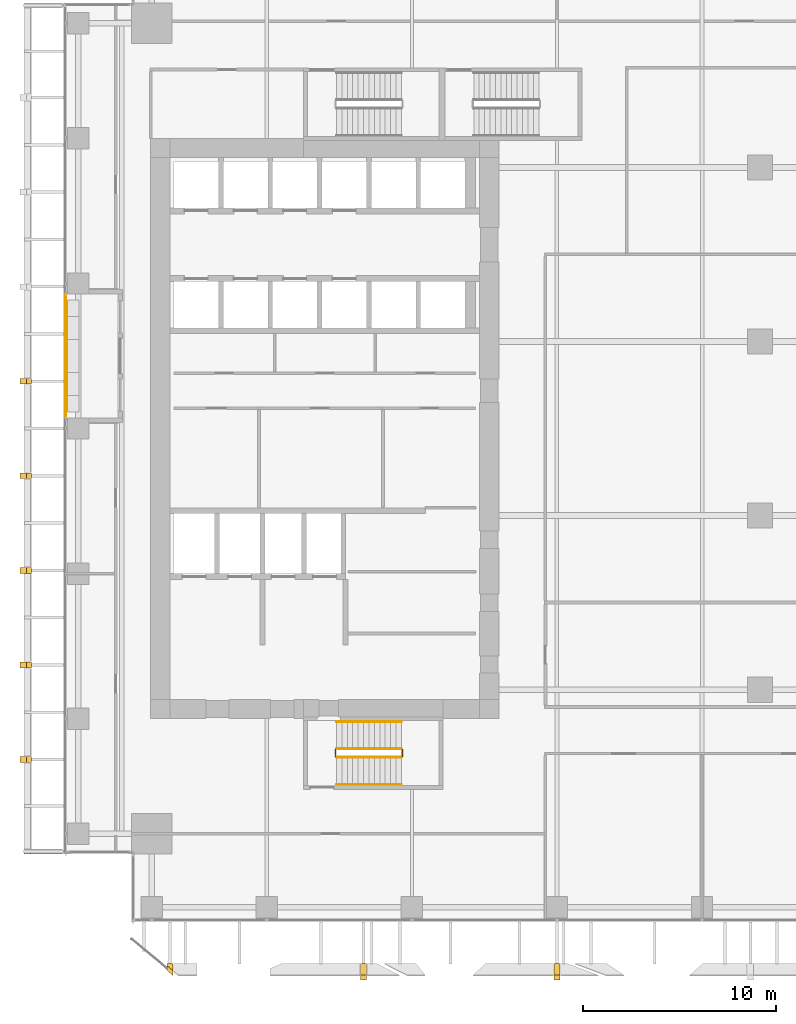
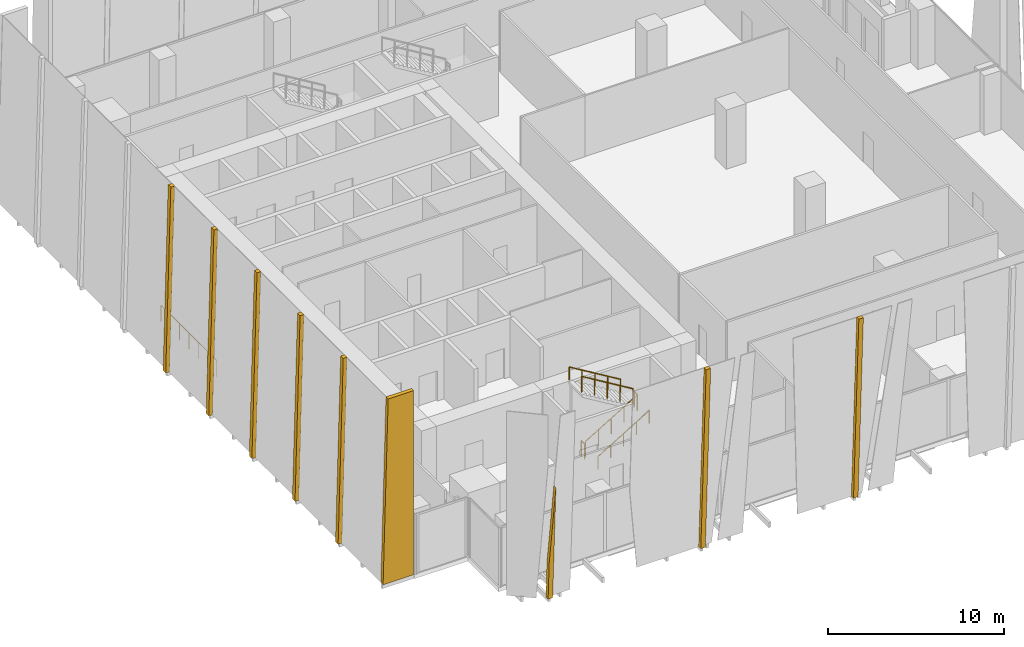
# One storey, part 31 of 35: 9 coverings, 7 railings.
"""IFC4 building model written with IfcOpenShell, lengths in metres."""

from ifc_helpers import new_model, si_unit, direction, frame, origin, origin_2d, place, context, subcontext, project, spatial, polyline, circle, outline, extrude, source, transform, mapped, material, layer, layer_set, type_object, element, save


model = new_model("IFC4")

# Units and contexts
model_context = context("Model", 3, precision=1e-05, world=origin(), true_north=direction((0.0, 1.0)))
body_context = subcontext(model_context, "Body", "Model", "MODEL_VIEW")
ifc_project = project(units=[si_unit("LENGTHUNIT", "METRE"), si_unit("AREAUNIT", "SQUARE_METRE"), si_unit("VOLUMEUNIT", "CUBIC_METRE"), si_unit("PLANEANGLEUNIT", "RADIAN"), si_unit("MASSUNIT", "GRAM", prefix="KILO")], contexts=[model_context])

# Site, building, storey
site_placement = place(None, origin())
site = spatial("IfcSite", under=ifc_project, at=site_placement, CompositionType="ELEMENT")
building_placement = place(site_placement, origin())
building = spatial("IfcBuilding", under=site, at=building_placement, Name="Khomas Fold Tower", CompositionType="ELEMENT")
storey_placement = place(building_placement, frame((0.0, 0.0, 127.89990234375)))
storey = spatial("IfcBuildingStorey", under=building, at=storey_placement, Name="L27", CompositionType="ELEMENT", Elevation=127.89990234375)

# Coverings
ifc_material_1 = material(Name="Natural stone cladding", Category="masonry")
ifc_layer = layer(ifc_material_1, 0.25)
ifc_layer_set = layer_set([ifc_layer], Name="Natural stone cladding")
covering_type = type_object("IfcCoveringType", Name="SK-Karibib marble stone mullion", PredefinedType="CLADDING", material=ifc_layer_set)
covering_1_placement = place(storey_placement, frame((6.85009765625, -0.653076171875, 0.0), z_axis=(-2.0950935e-05, 0.998875137058, 0.047417930458), x_axis=(-5.1e-11, -0.047417930469, 0.998875137277)))
element("IfcCovering", 1, at=covering_1_placement, inside=storey, type_object=covering_type, Name="OUTER SKIN mullion L27 SM099-1", PredefinedType="CLADDING", context=body_context, shape_type="SweptSolid", body=[
    extrude(outline(polyline([(0.0, 0.0), (2.563919511574395, 8.470329472543003e-22), (7.836451352901421, 0.29980468796801524), (-1.5387897220766973e-11, 0.2998046874342016), (0.0, 0.0)])), origin(), (0.0, 0.0, -1.0), 0.25),
])
for number, where, z_axis, x_axis, name in (
    (2, (16.85009765625, -0.653076171875, 0.0), (0.0, 0.998875266546, 0.047415207295), (0.0, -0.047415207295, 0.998875266546), "OUTER SKIN mullion L27 SM101-6"),
    (3, (26.85009765625, -0.653076171875, 0.0), (0.0, 0.998875266546, 0.047415207295), (0.0, -0.047415207295, 0.998875266546), "OUTER SKIN mullion L27 SM103-10"),
):
    element("IfcCovering", number, at=place(storey_placement, frame(where, z_axis=z_axis, x_axis=x_axis)), inside=storey, type_object=covering_type, Name=name, PredefinedType="CLADDING", context=body_context, shape_type="SweptSolid", body=[
        extrude(outline(polyline([(0.0, 0.0), (12.764356498773964, 0.0), (12.764356498773964, 0.2998046875), (0.0, 0.2998046875), (0.0, 0.0)])), origin(), (0.0, 0.0, -1.0), 0.25),
    ])
for number, where, z_axis, x_axis, name in (
    (4, (-0.758544921875, 9.73876953125, 0.006591796875), (-0.999657592188, 0.0, 0.026166741891), (0.0, 1.0, 0.0), "OUTER SKIN mullion L27 W2"),
    (5, (-0.758544921875, 14.627685546875, 0.006591796875), (-0.999657592188, 0.0, 0.026166741891), (0.0, 1.0, 0.0), "OUTER SKIN mullion L27 W4"),
    (6, (-0.758544921875, 19.5166015625, 0.006591796875), (-0.999657592188, 0.0, 0.026166741891), (0.0, 1.0, 0.0), "OUTER SKIN mullion L27 W6"),
    (7, (-0.758544921875, 24.405517578125, 0.006591796875), (-0.999657592188, 0.0, 0.026166741891), (0.0, 1.0, 0.0), "OUTER SKIN mullion L27 W8"),
    (8, (-0.758544921875, 29.29443359375, 0.006591796875), (-0.999657592188, 0.0, 0.026166741891), (0.0, 1.0, 0.0), "OUTER SKIN mullion L27 W10"),
):
    element("IfcCovering", number, at=place(storey_placement, frame(where, z_axis=z_axis, x_axis=x_axis)), inside=storey, type_object=covering_type, Name=name, PredefinedType="CLADDING", context=body_context, shape_type="SweptSolid", body=[
        extrude(outline(polyline([(0.0, 0.0), (0.300048828125, 0.0), (0.300048828125, -12.754367194966619), (0.0, -12.754367194966619), (0.0, 0.0)])), origin(), (0.0, 0.0, -1.0), 0.25),
    ])
covering_2_placement = place(storey_placement, frame((1.449951171875, 5.0, 12.75), z_axis=(0.0, -1.0, 0.0), x_axis=(-1.0, 0.0, 0.0)))
element("IfcCovering", 9, at=covering_2_placement, inside=storey, type_object=covering_type, Name="OUTER SKIN return L27 W1", PredefinedType="CLADDING", context=body_context, shape_type="SweptSolid", body=[
    extrude(outline(polyline([(0.0, 0.0), (1.664794921875, 0.0), (1.99853515625, 12.75), (0.0, 12.75), (0.0, 0.0)])), origin(), (0.0, 0.0, -1.0), 0.25),
])

# Railings
ifc_material_2 = material(Name="Powder-coated steel", Category="steel")
railing_type_1 = type_object("IfcRailingType", Name="Balcony guard", PredefinedType="GUARDRAIL", material=ifc_material_2)
shared_shape_1 = source(origin(), body_context, "Body", "SweptSolid", [
    extrude(circle(Radius=0.02490234375, at=origin_2d()), frame((0.0, 0.0, 1.125), z_axis=(0.0, 1.0, 0.0), x_axis=(-1.0, 0.0, 0.0)), (0.0, 0.0, 1.0), 6.33984375),
    extrude(circle(Radius=0.02001953125, at=origin_2d()), origin(), (0.0, 0.0, 1.0), 1.099853515625),
    extrude(circle(Radius=0.02001953125, at=origin_2d()), frame((0.0, 1.056640625, 0.0)), (0.0, 0.0, 1.0), 1.099853515625),
    extrude(circle(Radius=0.02001953125, at=origin_2d()), frame((0.0, 2.11328125, 0.0)), (0.0, 0.0, 1.0), 1.099853515625),
    extrude(circle(Radius=0.02001953125, at=origin_2d()), frame((0.0, 3.169921875, 0.0)), (0.0, 0.0, 1.0), 1.099853515625),
    extrude(circle(Radius=0.02001953125, at=origin_2d()), frame((0.0, 4.2265625, 0.0)), (0.0, 0.0, 1.0), 1.099853515625),
    extrude(circle(Radius=0.02001953125, at=origin_2d()), frame((0.0, 5.283203125, 0.0)), (0.0, 0.0, 1.0), 1.099853515625),
    extrude(circle(Radius=0.02001953125, at=origin_2d()), frame((0.0, 6.33984375, 0.0)), (0.0, 0.0, 1.0), 1.099853515625),
])
railing_1_placement = place(storey_placement, frame((1.60009765625, 27.580078125, -0.044921875)))
element("IfcRailing", 10, at=railing_1_placement, inside=storey, type_object=railing_type_1, Name="Balcony guard BAL-L27-W3", PredefinedType="GUARDRAIL", context=body_context, shape_type="MappedRepresentation", body=[
    mapped(shared_shape_1, transform((0.0, 0.0, 0.0))),
])
ifc_material_3 = material(Name="Steel balustrade", Category="steel")
railing_type_2 = type_object("IfcRailingType", Name="Stair guard", PredefinedType="GUARDRAIL", material=ifc_material_3)
shared_shape_2 = source(origin(), body_context, "Body", "SweptSolid", [
    extrude(circle(Radius=0.02392578125, at=origin_2d()), frame((0.0, 0.0, 1.076171875), z_axis=(0.0, 1.0, 0.0), x_axis=(-1.0, 0.0, 0.0)), (0.0, 0.0, 1.0), 0.349853515625),
    extrude(circle(Radius=0.02099609375, at=origin_2d()), origin(), (0.0, 0.0, 1.0), 1.052001953125),
    extrude(circle(Radius=0.02099609375, at=origin_2d()), frame((0.0, 0.349853515625, 0.0)), (0.0, 0.0, 1.0), 1.052001953125),
])
for number, where, name in (
    (11, (19.010009765625, 10.050048828125, 2.2001953125), "L27 ST2 stair guard 2"),
    (12, (15.550048828125, 10.050048828125, 0.0), "L27 ST2 stair guard 4"),
):
    element("IfcRailing", number, at=place(storey_placement, frame(where)), inside=storey, type_object=railing_type_2, Name=name, PredefinedType="GUARDRAIL", context=body_context, shape_type="MappedRepresentation", body=[
        mapped(shared_shape_2, transform((0.0, 0.0, 0.0))),
    ])
shared_shape_3 = source(origin(), body_context, "Body", "SweptSolid", [
    extrude(circle(Radius=0.02392578125, at=origin_2d()), frame((0.0, 0.0, 1.076171875), z_axis=(0.855820338506, 0.0, 0.51727318527), x_axis=(0.0, 1.0, 0.0)), (0.0, 0.0, 1.0), 3.92578125),
    extrude(circle(Radius=0.02099609375, at=origin_2d()), origin(), (0.0, 0.0, 1.0), 1.052001953125),
    extrude(circle(Radius=0.02099609375, at=origin_2d()), frame((0.83984375, 0.0, 0.5078125)), (0.0, 0.0, 1.0), 1.052001953125),
    extrude(circle(Radius=0.02099609375, at=origin_2d()), frame((1.679931640625, 0.0, 1.015380859375)), (0.0, 0.0, 1.0), 1.052001953125),
    extrude(circle(Radius=0.02099609375, at=origin_2d()), frame((2.52001953125, 0.0, 1.52294921875)), (0.0, 0.0, 1.0), 1.052001953125),
    extrude(circle(Radius=0.02099609375, at=origin_2d()), frame((3.35986328125, 0.0, 2.03076171875)), (0.0, 0.0, 1.0), 1.052001953125),
])
railing_2_placement = place(storey_placement, frame((15.60009765625, 10.0, 0.16943359375)))
element("IfcRailing", 13, at=railing_2_placement, inside=storey, type_object=railing_type_2, Name="L27 ST2 stair guard 1", PredefinedType="GUARDRAIL", context=body_context, shape_type="MappedRepresentation", body=[
    mapped(shared_shape_3, transform((0.0, 0.0, 0.0))),
])
shared_shape_4 = source(origin(), body_context, "Body", "SweptSolid", [
    extrude(circle(Radius=0.02392578125, at=origin_2d()), frame((0.0, 0.0, 1.076171875), z_axis=(-0.855820338506, 0.0, 0.51727318527), x_axis=(0.0, -1.0, 0.0)), (0.0, 0.0, 1.0), 3.92578125),
    extrude(circle(Radius=0.02099609375, at=origin_2d()), origin(), (0.0, 0.0, 1.0), 1.052001953125),
    extrude(circle(Radius=0.02099609375, at=origin_2d()), frame((-0.83984375, 0.0, 0.5078125)), (0.0, 0.0, 1.0), 1.052001953125),
    extrude(circle(Radius=0.02099609375, at=origin_2d()), frame((-1.679931640625, 0.0, 1.015380859375)), (0.0, 0.0, 1.0), 1.052001953125),
    extrude(circle(Radius=0.02099609375, at=origin_2d()), frame((-2.52001953125, 0.0, 1.52294921875)), (0.0, 0.0, 1.0), 1.052001953125),
    extrude(circle(Radius=0.02099609375, at=origin_2d()), frame((-3.35986328125, 0.0, 2.03076171875)), (0.0, 0.0, 1.0), 1.052001953125),
])
railing_3_placement = place(storey_placement, frame((18.9599609375, 10.449951171875, 2.369384765625)))
element("IfcRailing", 14, at=railing_3_placement, inside=storey, type_object=railing_type_2, Name="L27 ST2 stair guard 3", PredefinedType="GUARDRAIL", context=body_context, shape_type="MappedRepresentation", body=[
    mapped(shared_shape_4, transform((0.0, 0.0, 0.0))),
])
ifc_material_4 = material(Name="Steel handrail", Category="steel")
railing_type_3 = type_object("IfcRailingType", Name="Stair handrail", PredefinedType="HANDRAIL", material=ifc_material_4)
shared_shape_5 = source(origin(), body_context, "Body", "SweptSolid", [
    extrude(circle(Radius=0.02392578125, at=origin_2d()), frame((0.0, 0.0, 0.8759765625), z_axis=(0.855820338506, 0.0, 0.51727318527), x_axis=(0.0, 1.0, 0.0)), (0.0, 0.0, 1.0), 3.92578125),
    extrude(circle(Radius=0.02099609375, at=origin_2d()), origin(), (0.0, 0.0, 1.0), 0.851806640625),
    extrude(circle(Radius=0.02099609375, at=origin_2d()), frame((0.83984375, 0.0, 0.5078125)), (0.0, 0.0, 1.0), 0.851806640625),
    extrude(circle(Radius=0.02099609375, at=origin_2d()), frame((1.679931640625, 0.0, 1.015380859375)), (0.0, 0.0, 1.0), 0.851806640625),
    extrude(circle(Radius=0.02099609375, at=origin_2d()), frame((2.52001953125, 0.0, 1.52294921875)), (0.0, 0.0, 1.0), 0.851806640625),
    extrude(circle(Radius=0.02099609375, at=origin_2d()), frame((3.35986328125, 0.0, 2.03076171875)), (0.0, 0.0, 1.0), 0.851806640625),
])
railing_4_placement = place(storey_placement, frame((15.60009765625, 8.60009765625, 0.16943359375)))
element("IfcRailing", 15, at=railing_4_placement, inside=storey, type_object=railing_type_3, Name="L27 ST2 stair handrail 1", PredefinedType="HANDRAIL", context=body_context, shape_type="MappedRepresentation", body=[
    mapped(shared_shape_5, transform((0.0, 0.0, 0.0))),
])
shared_shape_6 = source(origin(), body_context, "Body", "SweptSolid", [
    extrude(circle(Radius=0.02392578125, at=origin_2d()), frame((0.0, 0.0, 0.8759765625), z_axis=(-0.855820338506, 0.0, 0.51727318527), x_axis=(0.0, -1.0, 0.0)), (0.0, 0.0, 1.0), 3.92578125),
    extrude(circle(Radius=0.02099609375, at=origin_2d()), origin(), (0.0, 0.0, 1.0), 0.851806640625),
    extrude(circle(Radius=0.02099609375, at=origin_2d()), frame((-0.83984375, 0.0, 0.5078125)), (0.0, 0.0, 1.0), 0.851806640625),
    extrude(circle(Radius=0.02099609375, at=origin_2d()), frame((-1.679931640625, 0.0, 1.015380859375)), (0.0, 0.0, 1.0), 0.851806640625),
    extrude(circle(Radius=0.02099609375, at=origin_2d()), frame((-2.52001953125, 0.0, 1.52294921875)), (0.0, 0.0, 1.0), 0.851806640625),
    extrude(circle(Radius=0.02099609375, at=origin_2d()), frame((-3.35986328125, 0.0, 2.03076171875)), (0.0, 0.0, 1.0), 0.851806640625),
])
railing_5_placement = place(storey_placement, frame((18.9599609375, 11.85009765625, 2.369384765625)))
element("IfcRailing", 16, at=railing_5_placement, inside=storey, type_object=railing_type_3, Name="L27 ST2 stair handrail 2", PredefinedType="HANDRAIL", context=body_context, shape_type="MappedRepresentation", body=[
    mapped(shared_shape_6, transform((0.0, 0.0, 0.0))),
])

save(model, "model.ifc")
